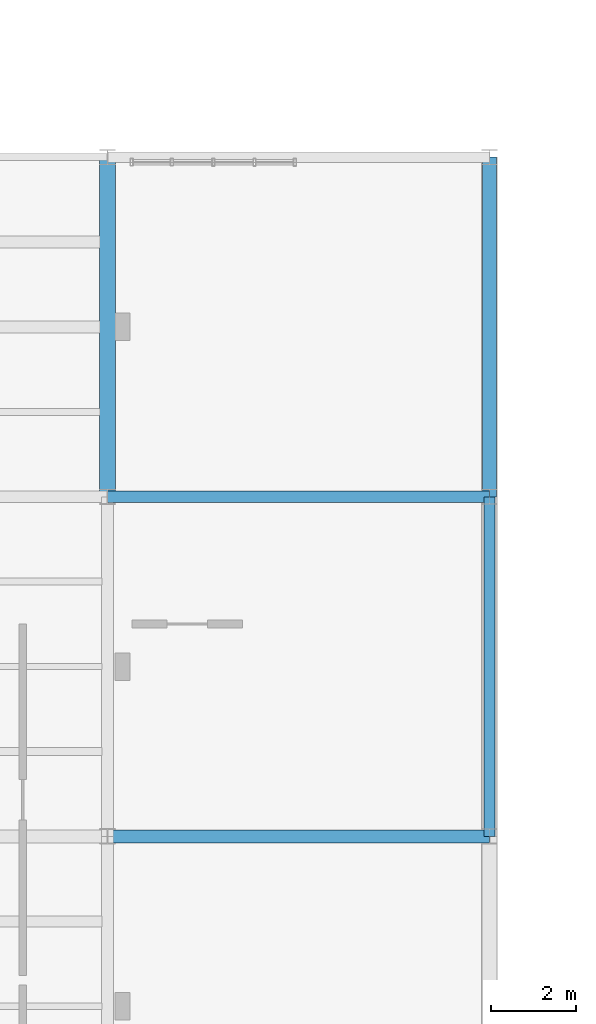
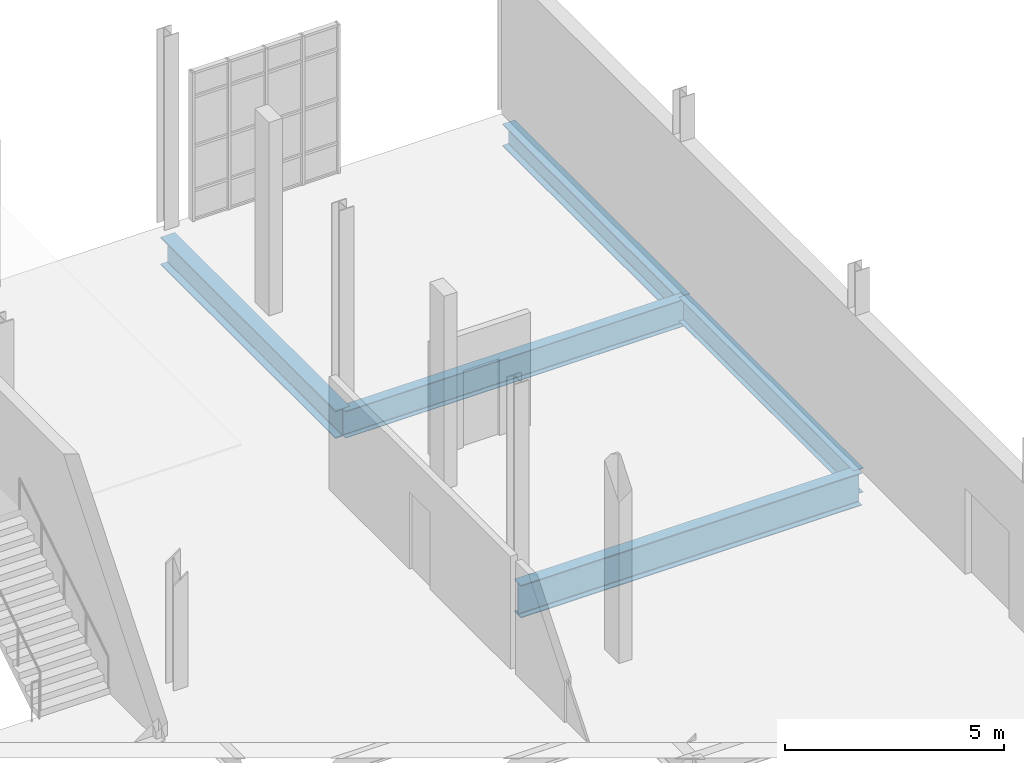
# One storey, part 108 of 189: 5 beams.
"""IFC4 building model written with IfcOpenShell, lengths in metres."""

from ifc_helpers import new_model, si_unit, direction, frame, origin, origin_2d, place, context, subcontext, project, spatial, i_section, extrude, material, material_profile, profile_set, type_object, element, save


model = new_model("IFC4")

# Units and contexts
model_context = context("Model", 3, precision=1e-05, world=origin(), true_north=direction((0.0, 1.0)))
body_context = subcontext(model_context, "Body", "Model", "MODEL_VIEW")
ifc_project = project(units=[si_unit("LENGTHUNIT", "METRE"), si_unit("AREAUNIT", "SQUARE_METRE"), si_unit("VOLUMEUNIT", "CUBIC_METRE"), si_unit("PLANEANGLEUNIT", "RADIAN"), si_unit("MASSUNIT", "GRAM", prefix="KILO"), si_unit("THERMODYNAMICTEMPERATUREUNIT", "KELVIN"), si_unit("POWERUNIT", "WATT")], contexts=[model_context])

# Site, building, storey
site_placement = place(None, origin())
site = spatial("IfcSite", under=ifc_project, at=site_placement, CompositionType="ELEMENT")
building_placement = place(site_placement, origin())
building = spatial("IfcBuilding", under=site, at=building_placement, Name="Zelmaris Science Centre", CompositionType="ELEMENT")
storey_placement = place(building_placement, origin())
storey = spatial("IfcBuildingStorey", under=building, at=storey_placement, Name="L00", CompositionType="ELEMENT", Elevation=0.0)

# Beams
ifc_material = material(Name="Steel ASTM A992 Grade 50", Category="steel")
ifc_material_profile_1 = material_profile(ifc_material, i_section(OverallWidth=0.304931640625, OverallDepth=0.912109375, WebThickness=0.015869140625, FlangeThickness=0.02392578125, FilletRadius=0.02392578125, at=origin_2d()), Name="W36X150")
ifc_profile_set_1 = profile_set([ifc_material_profile_1], Name="Steel ASTM A992 Grade 50")
beam_type_1 = type_object("IfcBeamType", Name="Beam G-27 W36X150", PredefinedType="BEAM", material=ifc_profile_set_1)
beam_1_placement = place(storey_placement, frame((144.0, 40.0, -0.74609375), z_axis=(1.0, 0.0, 0.0), x_axis=(0.0, 1.0, 0.0)))
element("IfcBeam", 1, at=beam_1_placement, inside=storey, type_object=beam_type_1, Name="L00 East-west girder 140", PredefinedType="BEAM", context=body_context, shape_type="SweptSolid", body=[
    extrude(i_section(OverallWidth=0.304931640625, OverallDepth=0.912109375, WebThickness=0.015869140625, FlangeThickness=0.02392578125, FilletRadius=0.02392578125, at=origin_2d()), origin(), (0.0, 0.0, 1.0), 9.0),
])
ifc_material_profile_2 = material_profile(ifc_material, i_section(OverallWidth=0.381103515625, OverallDepth=0.777099609375, WebThickness=0.01806640625, FlangeThickness=0.030029296875, FilletRadius=0.01904296875, at=origin_2d()), Name="W30X191")
ifc_profile_set_2 = profile_set([ifc_material_profile_2], Name="Steel ASTM A992 Grade 50")
beam_type_2 = type_object("IfcBeamType", Name="Beam G-31 W30X191", PredefinedType="BEAM", material=ifc_profile_set_2)
beam_2_placement = place(storey_placement, frame((144.0, 48.0, -0.678466796875), z_axis=(0.0, 1.0, 0.0), x_axis=(-1.0, 0.0, 0.0)))
element("IfcBeam", 2, at=beam_2_placement, inside=storey, type_object=beam_type_2, Name="L00 North-south girder 82", PredefinedType="BEAM", context=body_context, shape_type="SweptSolid", body=[
    extrude(i_section(OverallWidth=0.381103515625, OverallDepth=0.777099609375, WebThickness=0.01806640625, FlangeThickness=0.030029296875, FilletRadius=0.01904296875, at=origin_2d()), origin(), (0.0, 0.0, 1.0), 8.0),
])
ifc_material_profile_3 = material_profile(ifc_material, i_section(OverallWidth=0.26708984375, OverallDepth=0.75390625, WebThickness=0.01318359375, FlangeThickness=0.01708984375, FilletRadius=0.01904296875, at=origin_2d()), Name="W30X99")
ifc_profile_set_3 = profile_set([ifc_material_profile_3], Name="Steel ASTM A992 Grade 50")
beam_type_3 = type_object("IfcBeamType", Name="Beam G-34 W30X99", PredefinedType="BEAM", material=ifc_profile_set_3)
beam_3_placement = place(storey_placement, frame((144.0, 48.0, -0.6669921875), z_axis=(1.0, 0.0, 0.0), x_axis=(0.0, 1.0, 0.0)))
element("IfcBeam", 3, at=beam_3_placement, inside=storey, type_object=beam_type_3, Name="L00 East-west girder 147", PredefinedType="BEAM", context=body_context, shape_type="SweptSolid", body=[
    extrude(i_section(OverallWidth=0.26708984375, OverallDepth=0.75390625, WebThickness=0.01318359375, FlangeThickness=0.01708984375, FilletRadius=0.01904296875, at=origin_2d()), origin(), (0.0, 0.0, 1.0), 9.0),
])
ifc_material_profile_4 = material_profile(ifc_material, i_section(OverallWidth=0.25390625, OverallDepth=0.677978515625, WebThickness=0.01171875, FlangeThickness=0.016357421875, FilletRadius=0.01806640625, at=origin_2d()), Name="W27X84")
ifc_profile_set_4 = profile_set([ifc_material_profile_4], Name="Steel ASTM A992 Grade 50")
beam_type_4 = type_object("IfcBeamType", Name="Beam G-36 W27X84", PredefinedType="BEAM", material=ifc_profile_set_4)
beam_4_placement = place(storey_placement, frame((153.0, 40.0, -0.62890625), z_axis=(0.0, 1.0, 0.0), x_axis=(-1.0, 0.0, 0.0)))
element("IfcBeam", 4, at=beam_4_placement, inside=storey, type_object=beam_type_4, Name="L00 North-south girder 87", PredefinedType="BEAM", context=body_context, shape_type="SweptSolid", body=[
    extrude(i_section(OverallWidth=0.25390625, OverallDepth=0.677978515625, WebThickness=0.01171875, FlangeThickness=0.016357421875, FilletRadius=0.01806640625, at=origin_2d()), origin(), (0.0, 0.0, 1.0), 8.0),
])
ifc_material_profile_5 = material_profile(ifc_material, i_section(OverallWidth=0.327880859375, OverallDepth=0.626953125, WebThickness=0.0166015625, FlangeThickness=0.027587890625, FilletRadius=0.014892578125, at=origin_2d()), Name="W24X146")
ifc_profile_set_5 = profile_set([ifc_material_profile_5], Name="Steel ASTM A992 Grade 50")
beam_type_5 = type_object("IfcBeamType", Name="Beam G-37 W24X146", PredefinedType="BEAM", material=ifc_profile_set_5)
beam_5_placement = place(storey_placement, frame((153.0, 48.0, -0.603515625), z_axis=(0.0, 1.0, 0.0), x_axis=(-1.0, 0.0, 0.0)))
element("IfcBeam", 5, at=beam_5_placement, inside=storey, type_object=beam_type_5, Name="L00 North-south girder 88", PredefinedType="BEAM", context=body_context, shape_type="SweptSolid", body=[
    extrude(i_section(OverallWidth=0.327880859375, OverallDepth=0.626953125, WebThickness=0.0166015625, FlangeThickness=0.027587890625, FilletRadius=0.014892578125, at=origin_2d()), origin(), (0.0, 0.0, 1.0), 8.0),
])

save(model, "model.ifc")
